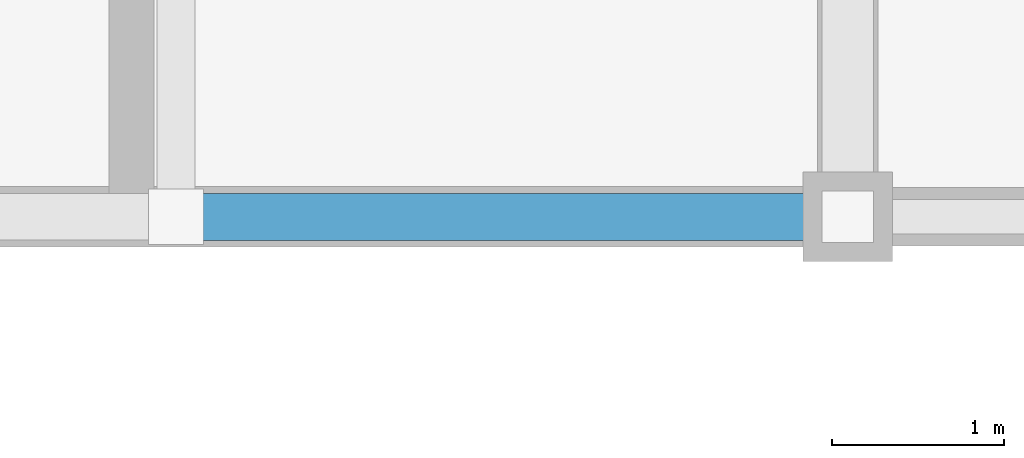
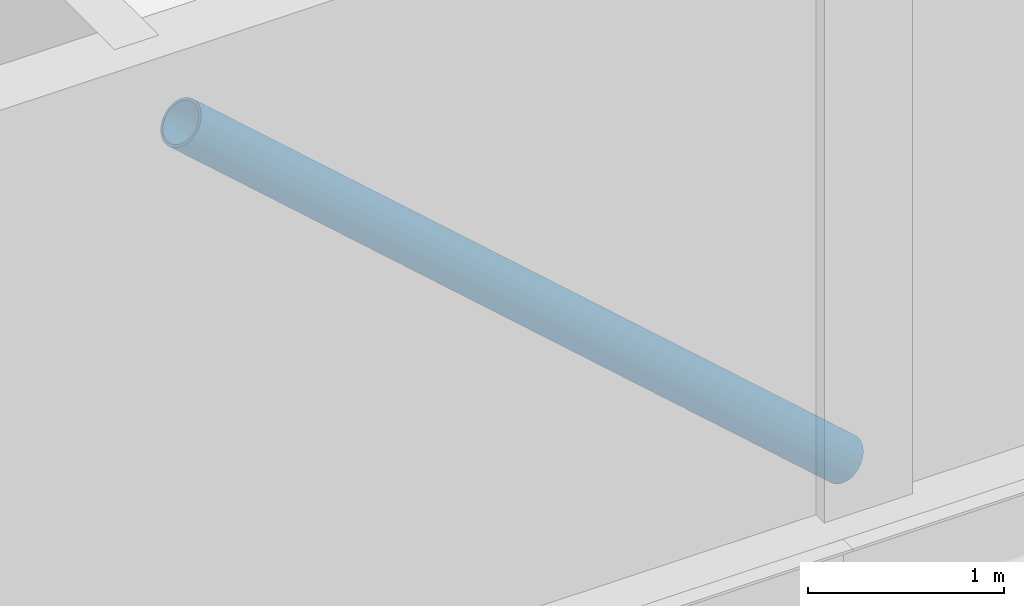
# One storey, part 16 of 53: 1 member.
"""IFC4 building model written with IfcOpenShell, lengths in metres."""

from ifc_helpers import new_model, si_unit, direction, frame, origin, origin_2d, place, context, subcontext, project, spatial, hollow_circle, extrude, material, material_profile, profile_set, type_object, element, save


model = new_model("IFC4")

# Units and contexts
model_context = context("Model", 3, precision=1e-05, world=origin(), true_north=direction((0.0, 1.0)))
body_context = subcontext(model_context, "Body", "Model", "MODEL_VIEW")
ifc_project = project(units=[si_unit("LENGTHUNIT", "METRE"), si_unit("AREAUNIT", "SQUARE_METRE"), si_unit("VOLUMEUNIT", "CUBIC_METRE"), si_unit("PLANEANGLEUNIT", "RADIAN"), si_unit("MASSUNIT", "GRAM", prefix="KILO")], contexts=[model_context])

# Site, building, storey
site_placement = place(None, origin())
site = spatial("IfcSite", under=ifc_project, at=site_placement, CompositionType="ELEMENT")
building_placement = place(site_placement, origin())
building = spatial("IfcBuilding", under=site, at=building_placement, Name="Vharandega Faculty of Natural Sciences", CompositionType="ELEMENT")
storey_placement = place(building_placement, frame((0.0, 0.0, 10.199951171875)))
storey = spatial("IfcBuildingStorey", under=building, at=storey_placement, Name="L02", CompositionType="ELEMENT", Elevation=10.199951171875)

# Member
ifc_material = material(Name="Steel S355", Category="steel")
ifc_material_profile = material_profile(ifc_material, hollow_circle(Radius=0.136474609375, WallThickness=0.01611328125, at=origin_2d()), Name="CHS 273x16")
ifc_profile_set = profile_set([ifc_material_profile], Name="Steel S355")
member_type = type_object("IfcMemberType", Name="Perimeter Chevron Brace CHS 273", PredefinedType="BRACE", material=ifc_profile_set)
member_placement = place(storey_placement, frame((122.60009765625, 64.0, 0.150146484375), z_axis=(-0.748060015433, 0.0, 0.663631082236), x_axis=(0.0, -1.0, 0.0)))
element("IfcMember", 1, at=member_placement, inside=storey, type_object=member_type, Name="Chevron Brace J L02-2", PredefinedType="BRACE", context=body_context, shape_type="SweptSolid", body=[
    extrude(hollow_circle(Radius=0.136474609375, WallThickness=0.01611328125, at=origin_2d()), origin(), (0.0, 0.0, 1.0), 5.213623046875),
])

save(model, "model.ifc")
